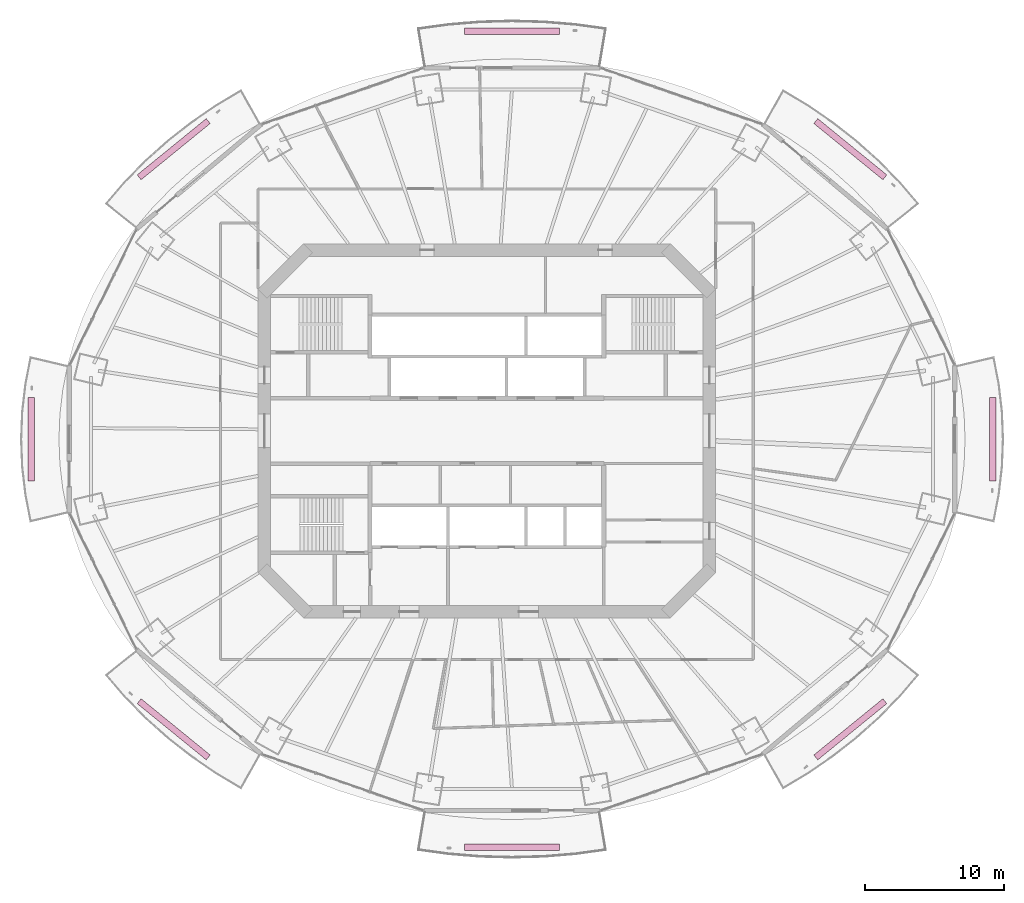
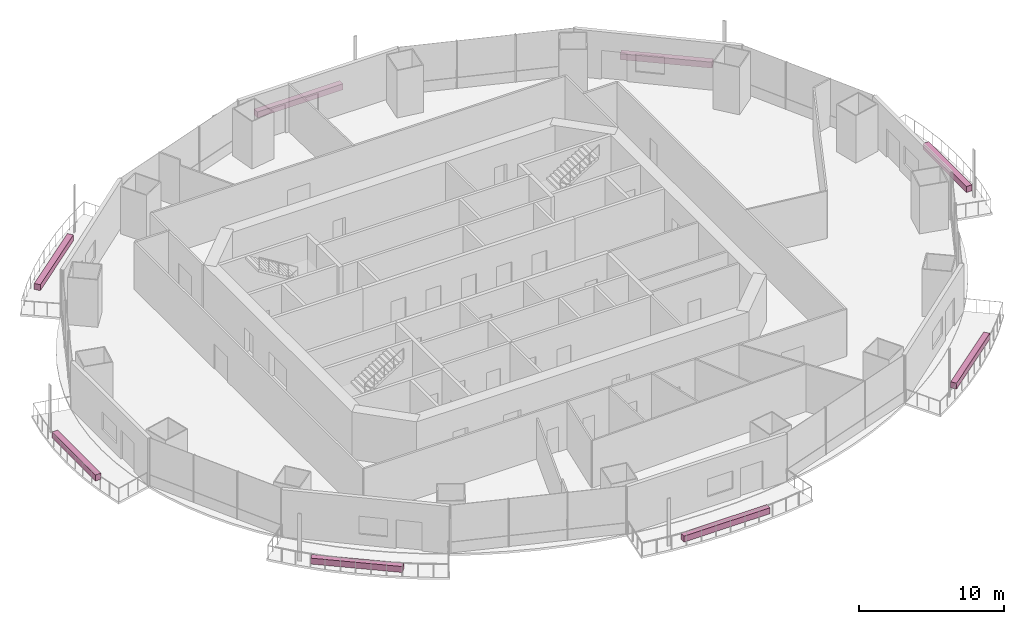
# One storey, part 20 of 20: 8 furnishings.
"""IFC4 building model written with IfcOpenShell, lengths in metres."""

from ifc_helpers import new_model, si_unit, direction, frame, origin, origin_2d, place, context, subcontext, project, spatial, rectangle, extrude, material, type_object, element, save


model = new_model("IFC4")

# Units and contexts
model_context = context("Model", 3, precision=1e-05, world=origin(), true_north=direction((0.0, 1.0)))
body_context = subcontext(model_context, "Body", "Model", "MODEL_VIEW")
ifc_project = project(units=[si_unit("LENGTHUNIT", "METRE"), si_unit("AREAUNIT", "SQUARE_METRE"), si_unit("VOLUMEUNIT", "CUBIC_METRE"), si_unit("PLANEANGLEUNIT", "RADIAN"), si_unit("MASSUNIT", "GRAM", prefix="KILO")], contexts=[model_context])

# Site, building, storey
site_placement = place(None, origin())
site = spatial("IfcSite", under=ifc_project, at=site_placement, CompositionType="ELEMENT")
building_placement = place(site_placement, origin())
building = spatial("IfcBuilding", under=site, at=building_placement, Name="Marenthal Gate Tower", CompositionType="ELEMENT")
storey_placement = place(building_placement, frame((0.0, 0.0, 177.64990234375)))
storey = spatial("IfcBuildingStorey", under=building, at=storey_placement, Name="L38", CompositionType="ELEMENT", Elevation=177.64990234375)

# Furnishings
ifc_material = material(Name="Planting soil and foliage", Category="planting")
furnishing_element_type = type_object("IfcFurnishingElementType", Name="Balcony PLANTER trough", material=ifc_material)
furnishing_1_placement = place(storey_placement, frame((26.127197265625, 20.257080078125, -0.039794921875), z_axis=(0.0, 0.0, 1.0), x_axis=(-0.775288092883, 0.631607768345, 0.0)))
element("IfcFurnishingElement", 1, at=furnishing_1_placement, inside=storey, type_object=furnishing_element_type, Name="Balcony PLANTER L38 bay 2", ObjectType="PLANTER", context=body_context, shape_type="SweptSolid", body=[
    extrude(rectangle(XDim=6.40625, YDim=0.449951171875, at=origin_2d()), origin(), (0.0, 0.0, 1.0), 0.5),
])
furnishing_2_placement = place(storey_placement, frame((1.800048828125, 28.740966796875, -0.039794921875), z_axis=(0.0, 0.0, 1.0), x_axis=(-1.0, 0.0, 0.0)))
element("IfcFurnishingElement", 2, at=furnishing_2_placement, inside=storey, type_object=furnishing_element_type, Name="Balcony PLANTER L38 bay 4", ObjectType="PLANTER", context=body_context, shape_type="SweptSolid", body=[
    extrude(rectangle(XDim=6.816650390625, YDim=0.449951171875, at=origin_2d()), origin(), (0.0, 0.0, 1.0), 0.5),
])
furnishing_3_placement = place(storey_placement, frame((-22.527099609375, 20.257080078125, -0.039794921875), z_axis=(0.0, 0.0, 1.0), x_axis=(-0.775288092883, -0.631607768345, 0.0)))
element("IfcFurnishingElement", 3, at=furnishing_3_placement, inside=storey, type_object=furnishing_element_type, Name="Balcony PLANTER L38 bay 6", ObjectType="PLANTER", context=body_context, shape_type="SweptSolid", body=[
    extrude(rectangle(XDim=6.40625, YDim=0.449951171875, at=origin_2d()), origin(), (0.0, 0.0, 1.0), 0.5),
])
furnishing_4_placement = place(storey_placement, frame((-32.77197265625, -0.60009765625, -0.039794921875), z_axis=(0.0, 0.0, 1.0), x_axis=(0.0, -1.0, 0.0)))
element("IfcFurnishingElement", 4, at=furnishing_4_placement, inside=storey, type_object=furnishing_element_type, Name="Balcony PLANTER L38 bay 8", ObjectType="PLANTER", context=body_context, shape_type="SweptSolid", body=[
    extrude(rectangle(XDim=5.98046875, YDim=0.449951171875, at=origin_2d()), origin(), (0.0, 0.0, 1.0), 0.5),
])
furnishing_5_placement = place(storey_placement, frame((-22.527099609375, -21.45703125, -0.039794921875), z_axis=(0.0, 0.0, 1.0), x_axis=(0.775288092883, -0.631607768345, 0.0)))
element("IfcFurnishingElement", 5, at=furnishing_5_placement, inside=storey, type_object=furnishing_element_type, Name="Balcony PLANTER L38 bay 10", ObjectType="PLANTER", context=body_context, shape_type="SweptSolid", body=[
    extrude(rectangle(XDim=6.40625, YDim=0.449951171875, at=origin_2d()), origin(), (0.0, 0.0, 1.0), 0.5),
])
furnishing_6_placement = place(storey_placement, frame((1.800048828125, -29.94091796875, -0.039794921875), z_axis=(0.0, 0.0, 1.0), x_axis=(1.0, 0.0, 0.0)))
element("IfcFurnishingElement", 6, at=furnishing_6_placement, inside=storey, type_object=furnishing_element_type, Name="Balcony PLANTER L38 bay 12", ObjectType="PLANTER", context=body_context, shape_type="SweptSolid", body=[
    extrude(rectangle(XDim=6.816650390625, YDim=0.449951171875, at=origin_2d()), origin(), (0.0, 0.0, 1.0), 0.5),
])
furnishing_7_placement = place(storey_placement, frame((26.127197265625, -21.45703125, -0.039794921875), z_axis=(0.0, 0.0, 1.0), x_axis=(0.775288092883, 0.631607768345, 0.0)))
element("IfcFurnishingElement", 7, at=furnishing_7_placement, inside=storey, type_object=furnishing_element_type, Name="Balcony PLANTER L38 bay 14", ObjectType="PLANTER", context=body_context, shape_type="SweptSolid", body=[
    extrude(rectangle(XDim=6.40625, YDim=0.449951171875, at=origin_2d()), origin(), (0.0, 0.0, 1.0), 0.5),
])
furnishing_8_placement = place(storey_placement, frame((36.3720703125, -0.60009765625, -0.039794921875), z_axis=(0.0, 0.0, 1.0), x_axis=(0.0, 1.0, 0.0)))
element("IfcFurnishingElement", 8, at=furnishing_8_placement, inside=storey, type_object=furnishing_element_type, Name="Balcony PLANTER L38 bay 16", ObjectType="PLANTER", context=body_context, shape_type="SweptSolid", body=[
    extrude(rectangle(XDim=5.98046875, YDim=0.449951171875, at=origin_2d()), origin(), (0.0, 0.0, 1.0), 0.5),
])

save(model, "model.ifc")
